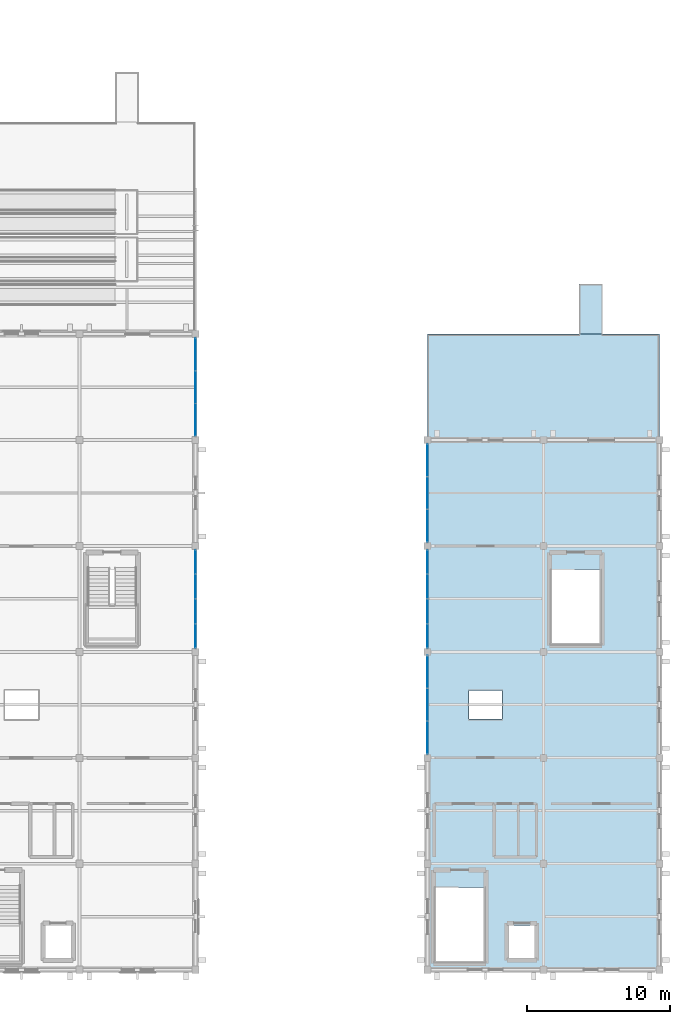
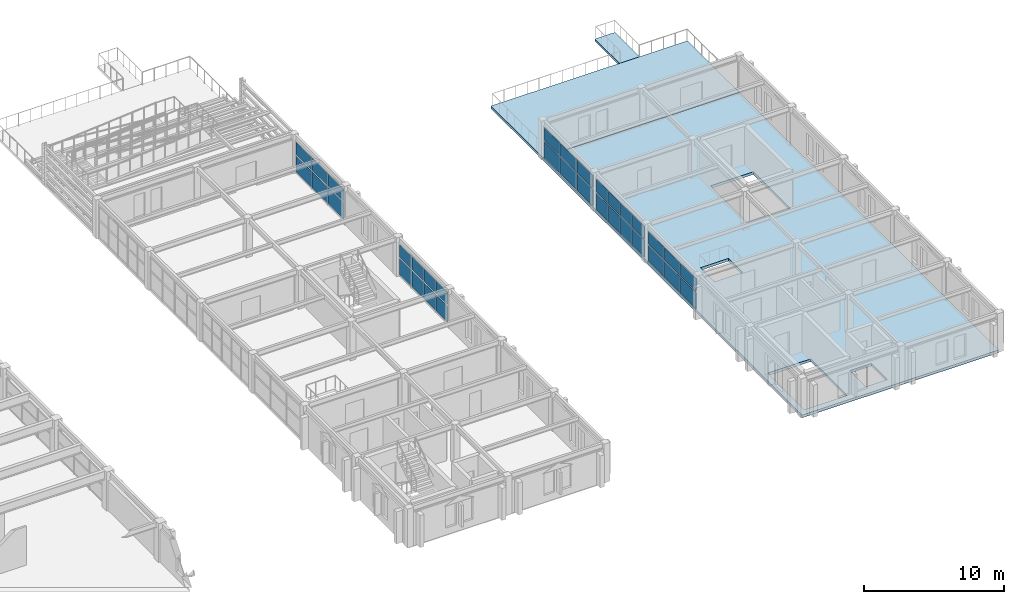
# One storey, part 76 of 93: 34 plates, 3 slabs, 5 elements without a shape of their own.
"""IFC4 building model written with IfcOpenShell, lengths in metres."""

from ifc_helpers import new_model, si_unit, direction, frame, origin, origin_2d, place, context, subcontext, project, spatial, polyline, rectangle, outline, extrude, material, layer, layer_set, type_object, element, aggregate, save


model = new_model("IFC4")

# Units and contexts
model_context = context("Model", 3, precision=1e-05, world=origin(), true_north=direction((0.0, 1.0)))
body_context = subcontext(model_context, "Body", "Model", "MODEL_VIEW")
ifc_project = project(units=[si_unit("LENGTHUNIT", "METRE"), si_unit("AREAUNIT", "SQUARE_METRE"), si_unit("VOLUMEUNIT", "CUBIC_METRE"), si_unit("PLANEANGLEUNIT", "RADIAN"), si_unit("MASSUNIT", "GRAM", prefix="KILO")], contexts=[model_context])

# Site, building, storey
site_placement = place(None, origin())
site = spatial("IfcSite", under=ifc_project, at=site_placement, CompositionType="ELEMENT")
building_placement = place(site_placement, origin())
building = spatial("IfcBuilding", under=site, at=building_placement, Name="Cimatlan Art Gallery", CompositionType="ELEMENT")
storey_placement = place(building_placement, frame((0.0, 0.0, 13.800048828125)))
storey = spatial("IfcBuildingStorey", under=building, at=storey_placement, Name="L03", CompositionType="ELEMENT", Elevation=13.800048828125)

# Curtain wall, plates
ifc_material_1 = material(Name="Anodised bronze unitised curtain wall")
curtain_wall_type_1 = type_object("IfcCurtainWallType", Name="CW-V-06892X02863-B4", PredefinedType="NOTDEFINED", material=ifc_material_1)
curtain_wall_1_placement = place(storey_placement, origin())
curtain_wall_1 = element("IfcCurtainWall", 1, at=curtain_wall_1_placement, inside=storey, type_object=curtain_wall_type_1, Name="CW-L03-15-06-E", PredefinedType="NOTDEFINED")
ifc_material_2 = material(Name="Low-E insulated double glazing", Category="glass")
ifc_layer_1 = layer(ifc_material_2, 0.028076171875)
ifc_layer_set_1 = layer_set([ifc_layer_1], Name="Low-E insulated double glazing")
plate_type_1 = type_object("IfcPlateType", Name="PNL-1665X1076", PredefinedType="CURTAIN_PANEL", material=ifc_layer_set_1)
plate_1_placement = place(storey_placement, frame((131.60009765625, 52.384521484375, 1.6650390625), z_axis=(0.0, 0.0, 1.0), x_axis=(0.0, -1.0, 0.0)))
plate_1 = element("IfcPlate", 2, at=plate_1_placement, type_object=plate_type_1, Name="CW-L03-15-06-E-P12", PredefinedType="CURTAIN_PANEL", context=body_context, shape_type="SweptSolid", body=[
    extrude(rectangle(XDim=1.6650390625, YDim=0.028076171875, at=origin_2d()), origin(), (0.0, 0.0, 1.0), 1.075927734375),
])
plate_2_placement = place(storey_placement, frame((131.60009765625, 50.66162109375, 1.6650390625), z_axis=(0.0, 0.0, 1.0), x_axis=(0.0, -1.0, 0.0)))
plate_2 = element("IfcPlate", 3, at=plate_2_placement, type_object=plate_type_1, Name="CW-L03-15-06-E-P22", PredefinedType="CURTAIN_PANEL", context=body_context, shape_type="SweptSolid", body=[
    extrude(rectangle(XDim=1.6650390625, YDim=0.028076171875, at=origin_2d()), origin(), (0.0, 0.0, 1.0), 1.075927734375),
])
plate_3_placement = place(storey_placement, frame((131.60009765625, 48.9384765625, 1.6650390625), z_axis=(0.0, 0.0, 1.0), x_axis=(0.0, -1.0, 0.0)))
plate_3 = element("IfcPlate", 4, at=plate_3_placement, type_object=plate_type_1, Name="CW-L03-15-06-E-P32", PredefinedType="CURTAIN_PANEL", context=body_context, shape_type="SweptSolid", body=[
    extrude(rectangle(XDim=1.6650390625, YDim=0.028076171875, at=origin_2d()), origin(), (0.0, 0.0, 1.0), 1.075927734375),
])
plate_4_placement = place(storey_placement, frame((131.60009765625, 47.215576171875, 1.6650390625), z_axis=(0.0, 0.0, 1.0), x_axis=(0.0, -1.0, 0.0)))
plate_4 = element("IfcPlate", 5, at=plate_4_placement, type_object=plate_type_1, Name="CW-L03-15-06-E-P42", PredefinedType="CURTAIN_PANEL", context=body_context, shape_type="SweptSolid", body=[
    extrude(rectangle(XDim=1.6650390625, YDim=0.028076171875, at=origin_2d()), origin(), (0.0, 0.0, 1.0), 1.075927734375),
])

curtain_wall_type_2 = type_object("IfcCurtainWallType", Name="CW-V-06892X02908-B4", PredefinedType="NOTDEFINED", material=ifc_material_1)
curtain_wall_2_placement = place(storey_placement, origin())
curtain_wall_2 = element("IfcCurtainWall", 6, at=curtain_wall_2_placement, inside=storey, type_object=curtain_wall_type_2, Name="CW-L03-18-06-W", PredefinedType="NOTDEFINED")
ifc_layer_2 = layer(ifc_material_2, 0.028076171875)
ifc_layer_set_2 = layer_set([ifc_layer_2], Name="Low-E insulated double glazing")
plate_type_2 = type_object("IfcPlateType", Name="PNL-1665X1095", PredefinedType="CURTAIN_PANEL", material=ifc_layer_set_2)
plate_5_placement = place(storey_placement, frame((147.800048828125, 47.215576171875, 1.69091796875), z_axis=(0.0, 0.0, 1.0), x_axis=(0.0, 1.0, 0.0)))
plate_5 = element("IfcPlate", 7, at=plate_5_placement, type_object=plate_type_2, Name="CW-L03-18-06-W-P12", PredefinedType="CURTAIN_PANEL", context=body_context, shape_type="SweptSolid", body=[
    extrude(rectangle(XDim=1.6650390625, YDim=0.028076171875, at=origin_2d()), origin(), (0.0, 0.0, 1.0), 1.094970703125),
])
plate_6_placement = place(storey_placement, frame((147.800048828125, 48.9384765625, 1.69091796875), z_axis=(0.0, 0.0, 1.0), x_axis=(0.0, 1.0, 0.0)))
plate_6 = element("IfcPlate", 8, at=plate_6_placement, type_object=plate_type_2, Name="CW-L03-18-06-W-P22", PredefinedType="CURTAIN_PANEL", context=body_context, shape_type="SweptSolid", body=[
    extrude(rectangle(XDim=1.6650390625, YDim=0.028076171875, at=origin_2d()), origin(), (0.0, 0.0, 1.0), 1.094970703125),
])
plate_7_placement = place(storey_placement, frame((147.800048828125, 50.66162109375, 1.69091796875), z_axis=(0.0, 0.0, 1.0), x_axis=(0.0, 1.0, 0.0)))
plate_7 = element("IfcPlate", 9, at=plate_7_placement, type_object=plate_type_2, Name="CW-L03-18-06-W-P32", PredefinedType="CURTAIN_PANEL", context=body_context, shape_type="SweptSolid", body=[
    extrude(rectangle(XDim=1.6650390625, YDim=0.028076171875, at=origin_2d()), origin(), (0.0, 0.0, 1.0), 1.094970703125),
])
plate_8_placement = place(storey_placement, frame((147.800048828125, 52.384521484375, 1.69091796875), z_axis=(0.0, 0.0, 1.0), x_axis=(0.0, 1.0, 0.0)))
plate_8 = element("IfcPlate", 10, at=plate_8_placement, type_object=plate_type_2, Name="CW-L03-18-06-W-P42", PredefinedType="CURTAIN_PANEL", context=body_context, shape_type="SweptSolid", body=[
    extrude(rectangle(XDim=1.6650390625, YDim=0.028076171875, at=origin_2d()), origin(), (0.0, 0.0, 1.0), 1.094970703125),
])

# Plate
ifc_layer_3 = layer(ifc_material_2, 0.028076171875)
ifc_layer_set_3 = layer_set([ifc_layer_3], Name="Low-E insulated double glazing")
plate_type_3 = type_object("IfcPlateType", Name="PNL-1665X1419", PredefinedType="CURTAIN_PANEL", material=ifc_layer_set_3)
plate_9_placement = place(storey_placement, frame((131.60009765625, 52.384521484375, 0.1220703125), z_axis=(0.0, 0.0, 1.0), x_axis=(0.0, -1.0, 0.0)))
plate_9 = element("IfcPlate", 11, at=plate_9_placement, type_object=plate_type_3, Name="CW-L03-15-06-E-P11", PredefinedType="CURTAIN_PANEL", context=body_context, shape_type="SweptSolid", body=[
    extrude(rectangle(XDim=1.6650390625, YDim=0.028076171875, at=origin_2d()), origin(), (0.0, 0.0, 1.0), 1.4189453125),
])

plate_10_placement = place(storey_placement, frame((131.60009765625, 50.66162109375, 0.1220703125), z_axis=(0.0, 0.0, 1.0), x_axis=(0.0, -1.0, 0.0)))
plate_10 = element("IfcPlate", 12, at=plate_10_placement, type_object=plate_type_3, Name="CW-L03-15-06-E-P21", PredefinedType="CURTAIN_PANEL", context=body_context, shape_type="SweptSolid", body=[
    extrude(rectangle(XDim=1.6650390625, YDim=0.028076171875, at=origin_2d()), origin(), (0.0, 0.0, 1.0), 1.4189453125),
])

plate_11_placement = place(storey_placement, frame((131.60009765625, 48.9384765625, 0.1220703125), z_axis=(0.0, 0.0, 1.0), x_axis=(0.0, -1.0, 0.0)))
plate_11 = element("IfcPlate", 13, at=plate_11_placement, type_object=plate_type_3, Name="CW-L03-15-06-E-P31", PredefinedType="CURTAIN_PANEL", context=body_context, shape_type="SweptSolid", body=[
    extrude(rectangle(XDim=1.6650390625, YDim=0.028076171875, at=origin_2d()), origin(), (0.0, 0.0, 1.0), 1.4189453125),
])

plate_12_placement = place(storey_placement, frame((131.60009765625, 47.215576171875, 0.1220703125), z_axis=(0.0, 0.0, 1.0), x_axis=(0.0, -1.0, 0.0)))
plate_12 = element("IfcPlate", 14, at=plate_12_placement, type_object=plate_type_3, Name="CW-L03-15-06-E-P41", PredefinedType="CURTAIN_PANEL", context=body_context, shape_type="SweptSolid", body=[
    extrude(rectangle(XDim=1.6650390625, YDim=0.028076171875, at=origin_2d()), origin(), (0.0, 0.0, 1.0), 1.4189453125),
])

aggregate(curtain_wall_1, [plate_9, plate_1, plate_10, plate_2, plate_11, plate_3, plate_12, plate_4])

ifc_layer_4 = layer(ifc_material_2, 0.028076171875)
ifc_layer_set_4 = layer_set([ifc_layer_4], Name="Low-E insulated double glazing")
plate_type_4 = type_object("IfcPlateType", Name="PNL-1665X1444", PredefinedType="CURTAIN_PANEL", material=ifc_layer_set_4)
plate_13_placement = place(storey_placement, frame((147.800048828125, 47.215576171875, 0.1220703125), z_axis=(0.0, 0.0, 1.0), x_axis=(0.0, 1.0, 0.0)))
plate_13 = element("IfcPlate", 15, at=plate_13_placement, type_object=plate_type_4, Name="CW-L03-18-06-W-P11", PredefinedType="CURTAIN_PANEL", context=body_context, shape_type="SweptSolid", body=[
    extrude(rectangle(XDim=1.6650390625, YDim=0.028076171875, at=origin_2d()), origin(), (0.0, 0.0, 1.0), 1.444091796875),
])

plate_14_placement = place(storey_placement, frame((147.800048828125, 48.9384765625, 0.1220703125), z_axis=(0.0, 0.0, 1.0), x_axis=(0.0, 1.0, 0.0)))
plate_14 = element("IfcPlate", 16, at=plate_14_placement, type_object=plate_type_4, Name="CW-L03-18-06-W-P21", PredefinedType="CURTAIN_PANEL", context=body_context, shape_type="SweptSolid", body=[
    extrude(rectangle(XDim=1.6650390625, YDim=0.028076171875, at=origin_2d()), origin(), (0.0, 0.0, 1.0), 1.444091796875),
])

plate_15_placement = place(storey_placement, frame((147.800048828125, 50.66162109375, 0.1220703125), z_axis=(0.0, 0.0, 1.0), x_axis=(0.0, 1.0, 0.0)))
plate_15 = element("IfcPlate", 17, at=plate_15_placement, type_object=plate_type_4, Name="CW-L03-18-06-W-P31", PredefinedType="CURTAIN_PANEL", context=body_context, shape_type="SweptSolid", body=[
    extrude(rectangle(XDim=1.6650390625, YDim=0.028076171875, at=origin_2d()), origin(), (0.0, 0.0, 1.0), 1.444091796875),
])

plate_16_placement = place(storey_placement, frame((147.800048828125, 52.384521484375, 0.1220703125), z_axis=(0.0, 0.0, 1.0), x_axis=(0.0, 1.0, 0.0)))
plate_16 = element("IfcPlate", 18, at=plate_16_placement, type_object=plate_type_4, Name="CW-L03-18-06-W-P41", PredefinedType="CURTAIN_PANEL", context=body_context, shape_type="SweptSolid", body=[
    extrude(rectangle(XDim=1.6650390625, YDim=0.028076171875, at=origin_2d()), origin(), (0.0, 0.0, 1.0), 1.444091796875),
])

aggregate(curtain_wall_2, [plate_13, plate_5, plate_14, plate_6, plate_15, plate_7, plate_16, plate_8])

# Curtain wall, plates
curtain_wall_type_3 = type_object("IfcCurtainWallType", Name="CW-V-06892X02833-B3", PredefinedType="NOTDEFINED", material=ifc_material_1)
curtain_wall_3_placement = place(storey_placement, origin())
curtain_wall_3 = element("IfcCurtainWall", 19, at=curtain_wall_3_placement, inside=storey, type_object=curtain_wall_type_3, Name="CW-L03-15-08-E", PredefinedType="NOTDEFINED")
ifc_layer_5 = layer(ifc_material_2, 0.028076171875)
ifc_layer_set_5 = layer_set([ifc_layer_5], Name="Low-E insulated double glazing")
plate_type_5 = type_object("IfcPlateType", Name="PNL-2239X1062", PredefinedType="CURTAIN_PANEL", material=ifc_layer_set_5)
plate_17_placement = place(storey_placement, frame((131.60009765625, 66.897216796875, 1.648681640625), z_axis=(0.0, 0.0, 1.0), x_axis=(0.0, -1.0, 0.0)))
plate_17 = element("IfcPlate", 20, at=plate_17_placement, type_object=plate_type_5, Name="CW-L03-15-08-E-P12", PredefinedType="CURTAIN_PANEL", context=body_context, shape_type="SweptSolid", body=[
    extrude(rectangle(XDim=2.239013671875, YDim=0.028076171875, at=origin_2d()), origin(), (0.0, 0.0, 1.0), 1.06201171875),
])
plate_18_placement = place(storey_placement, frame((131.60009765625, 64.60009765625, 1.648681640625), z_axis=(0.0, 0.0, 1.0), x_axis=(0.0, -1.0, 0.0)))
plate_18 = element("IfcPlate", 21, at=plate_18_placement, type_object=plate_type_5, Name="CW-L03-15-08-E-P22", PredefinedType="CURTAIN_PANEL", context=body_context, shape_type="SweptSolid", body=[
    extrude(rectangle(XDim=2.239013671875, YDim=0.028076171875, at=origin_2d()), origin(), (0.0, 0.0, 1.0), 1.06201171875),
])
plate_19_placement = place(storey_placement, frame((131.60009765625, 62.302734375, 1.648681640625), z_axis=(0.0, 0.0, 1.0), x_axis=(0.0, -1.0, 0.0)))
plate_19 = element("IfcPlate", 22, at=plate_19_placement, type_object=plate_type_5, Name="CW-L03-15-08-E-P32", PredefinedType="CURTAIN_PANEL", context=body_context, shape_type="SweptSolid", body=[
    extrude(rectangle(XDim=2.239013671875, YDim=0.028076171875, at=origin_2d()), origin(), (0.0, 0.0, 1.0), 1.06201171875),
])

curtain_wall_4_placement = place(storey_placement, origin())
curtain_wall_4 = element("IfcCurtainWall", 23, at=curtain_wall_4_placement, inside=storey, type_object=curtain_wall_type_3, Name="CW-L03-18-05-W", PredefinedType="NOTDEFINED")
plate_20_placement = place(storey_placement, frame((147.800048828125, 40.102783203125, 1.648681640625), z_axis=(0.0, 0.0, 1.0), x_axis=(0.0, 1.0, 0.0)))
plate_20 = element("IfcPlate", 24, at=plate_20_placement, type_object=plate_type_5, Name="CW-L03-18-05-W-P12", PredefinedType="CURTAIN_PANEL", context=body_context, shape_type="SweptSolid", body=[
    extrude(rectangle(XDim=2.239013671875, YDim=0.028076171875, at=origin_2d()), origin(), (0.0, 0.0, 1.0), 1.06201171875),
])
plate_21_placement = place(storey_placement, frame((147.800048828125, 42.39990234375, 1.648681640625), z_axis=(0.0, 0.0, 1.0), x_axis=(0.0, 1.0, 0.0)))
plate_21 = element("IfcPlate", 25, at=plate_21_placement, type_object=plate_type_5, Name="CW-L03-18-05-W-P22", PredefinedType="CURTAIN_PANEL", context=body_context, shape_type="SweptSolid", body=[
    extrude(rectangle(XDim=2.239013671875, YDim=0.028076171875, at=origin_2d()), origin(), (0.0, 0.0, 1.0), 1.06201171875),
])
plate_22_placement = place(storey_placement, frame((147.800048828125, 44.697265625, 1.648681640625), z_axis=(0.0, 0.0, 1.0), x_axis=(0.0, 1.0, 0.0)))
plate_22 = element("IfcPlate", 26, at=plate_22_placement, type_object=plate_type_5, Name="CW-L03-18-05-W-P32", PredefinedType="CURTAIN_PANEL", context=body_context, shape_type="SweptSolid", body=[
    extrude(rectangle(XDim=2.239013671875, YDim=0.028076171875, at=origin_2d()), origin(), (0.0, 0.0, 1.0), 1.06201171875),
])

curtain_wall_type_4 = type_object("IfcCurtainWallType", Name="CW-V-06892X02893-B3", PredefinedType="NOTDEFINED", material=ifc_material_1)
curtain_wall_5_placement = place(storey_placement, origin())
curtain_wall_5 = element("IfcCurtainWall", 27, at=curtain_wall_5_placement, inside=storey, type_object=curtain_wall_type_4, Name="CW-L03-18-07-W", PredefinedType="NOTDEFINED")
ifc_layer_6 = layer(ifc_material_2, 0.028076171875)
ifc_layer_set_6 = layer_set([ifc_layer_6], Name="Low-E insulated double glazing")
plate_type_6 = type_object("IfcPlateType", Name="PNL-2239X1089", PredefinedType="CURTAIN_PANEL", material=ifc_layer_set_6)
plate_23_placement = place(storey_placement, frame((147.800048828125, 54.902587890625, 1.68212890625), z_axis=(0.0, 0.0, 1.0), x_axis=(0.0, 1.0, 0.0)))
plate_23 = element("IfcPlate", 28, at=plate_23_placement, type_object=plate_type_6, Name="CW-L03-18-07-W-P12", PredefinedType="CURTAIN_PANEL", context=body_context, shape_type="SweptSolid", body=[
    extrude(rectangle(XDim=2.239013671875, YDim=0.028076171875, at=origin_2d()), origin(), (0.0, 0.0, 1.0), 1.089111328125),
])
plate_24_placement = place(storey_placement, frame((147.800048828125, 57.199951171875, 1.68212890625), z_axis=(0.0, 0.0, 1.0), x_axis=(0.0, 1.0, 0.0)))
plate_24 = element("IfcPlate", 29, at=plate_24_placement, type_object=plate_type_6, Name="CW-L03-18-07-W-P22", PredefinedType="CURTAIN_PANEL", context=body_context, shape_type="SweptSolid", body=[
    extrude(rectangle(XDim=2.239013671875, YDim=0.028076171875, at=origin_2d()), origin(), (0.0, 0.0, 1.0), 1.089111328125),
])
plate_25_placement = place(storey_placement, frame((147.800048828125, 59.497314453125, 1.68212890625), z_axis=(0.0, 0.0, 1.0), x_axis=(0.0, 1.0, 0.0)))
plate_25 = element("IfcPlate", 30, at=plate_25_placement, type_object=plate_type_6, Name="CW-L03-18-07-W-P32", PredefinedType="CURTAIN_PANEL", context=body_context, shape_type="SweptSolid", body=[
    extrude(rectangle(XDim=2.239013671875, YDim=0.028076171875, at=origin_2d()), origin(), (0.0, 0.0, 1.0), 1.089111328125),
])

# Plate
ifc_layer_7 = layer(ifc_material_2, 0.028076171875)
ifc_layer_set_7 = layer_set([ifc_layer_7], Name="Low-E insulated double glazing")
plate_type_7 = type_object("IfcPlateType", Name="PNL-2239X1402", PredefinedType="CURTAIN_PANEL", material=ifc_layer_set_7)
plate_26_placement = place(storey_placement, frame((131.60009765625, 66.897216796875, 0.1220703125), z_axis=(0.0, 0.0, 1.0), x_axis=(0.0, -1.0, 0.0)))
plate_26 = element("IfcPlate", 31, at=plate_26_placement, type_object=plate_type_7, Name="CW-L03-15-08-E-P11", PredefinedType="CURTAIN_PANEL", context=body_context, shape_type="SweptSolid", body=[
    extrude(rectangle(XDim=2.239013671875, YDim=0.028076171875, at=origin_2d()), origin(), (0.0, 0.0, 1.0), 1.402099609375),
])

plate_27_placement = place(storey_placement, frame((131.60009765625, 64.60009765625, 0.1220703125), z_axis=(0.0, 0.0, 1.0), x_axis=(0.0, -1.0, 0.0)))
plate_27 = element("IfcPlate", 32, at=plate_27_placement, type_object=plate_type_7, Name="CW-L03-15-08-E-P21", PredefinedType="CURTAIN_PANEL", context=body_context, shape_type="SweptSolid", body=[
    extrude(rectangle(XDim=2.239013671875, YDim=0.028076171875, at=origin_2d()), origin(), (0.0, 0.0, 1.0), 1.402099609375),
])

plate_28_placement = place(storey_placement, frame((131.60009765625, 62.302734375, 0.1220703125), z_axis=(0.0, 0.0, 1.0), x_axis=(0.0, -1.0, 0.0)))
plate_28 = element("IfcPlate", 33, at=plate_28_placement, type_object=plate_type_7, Name="CW-L03-15-08-E-P31", PredefinedType="CURTAIN_PANEL", context=body_context, shape_type="SweptSolid", body=[
    extrude(rectangle(XDim=2.239013671875, YDim=0.028076171875, at=origin_2d()), origin(), (0.0, 0.0, 1.0), 1.402099609375),
])

aggregate(curtain_wall_3, [plate_26, plate_17, plate_27, plate_18, plate_28, plate_19])

plate_29_placement = place(storey_placement, frame((147.800048828125, 40.102783203125, 0.1220703125), z_axis=(0.0, 0.0, 1.0), x_axis=(0.0, 1.0, 0.0)))
plate_29 = element("IfcPlate", 34, at=plate_29_placement, type_object=plate_type_7, Name="CW-L03-18-05-W-P11", PredefinedType="CURTAIN_PANEL", context=body_context, shape_type="SweptSolid", body=[
    extrude(rectangle(XDim=2.239013671875, YDim=0.028076171875, at=origin_2d()), origin(), (0.0, 0.0, 1.0), 1.402099609375),
])

plate_30_placement = place(storey_placement, frame((147.800048828125, 42.39990234375, 0.1220703125), z_axis=(0.0, 0.0, 1.0), x_axis=(0.0, 1.0, 0.0)))
plate_30 = element("IfcPlate", 35, at=plate_30_placement, type_object=plate_type_7, Name="CW-L03-18-05-W-P21", PredefinedType="CURTAIN_PANEL", context=body_context, shape_type="SweptSolid", body=[
    extrude(rectangle(XDim=2.239013671875, YDim=0.028076171875, at=origin_2d()), origin(), (0.0, 0.0, 1.0), 1.402099609375),
])

plate_31_placement = place(storey_placement, frame((147.800048828125, 44.697265625, 0.1220703125), z_axis=(0.0, 0.0, 1.0), x_axis=(0.0, 1.0, 0.0)))
plate_31 = element("IfcPlate", 36, at=plate_31_placement, type_object=plate_type_7, Name="CW-L03-18-05-W-P31", PredefinedType="CURTAIN_PANEL", context=body_context, shape_type="SweptSolid", body=[
    extrude(rectangle(XDim=2.239013671875, YDim=0.028076171875, at=origin_2d()), origin(), (0.0, 0.0, 1.0), 1.402099609375),
])

aggregate(curtain_wall_4, [plate_29, plate_20, plate_30, plate_21, plate_31, plate_22])

ifc_layer_8 = layer(ifc_material_2, 0.028076171875)
ifc_layer_set_8 = layer_set([ifc_layer_8], Name="Low-E insulated double glazing")
plate_type_8 = type_object("IfcPlateType", Name="PNL-2239X1436", PredefinedType="CURTAIN_PANEL", material=ifc_layer_set_8)
plate_32_placement = place(storey_placement, frame((147.800048828125, 54.902587890625, 0.1220703125), z_axis=(0.0, 0.0, 1.0), x_axis=(0.0, 1.0, 0.0)))
plate_32 = element("IfcPlate", 37, at=plate_32_placement, type_object=plate_type_8, Name="CW-L03-18-07-W-P11", PredefinedType="CURTAIN_PANEL", context=body_context, shape_type="SweptSolid", body=[
    extrude(rectangle(XDim=2.239013671875, YDim=0.028076171875, at=origin_2d()), origin(), (0.0, 0.0, 1.0), 1.43603515625),
])

plate_33_placement = place(storey_placement, frame((147.800048828125, 57.199951171875, 0.1220703125), z_axis=(0.0, 0.0, 1.0), x_axis=(0.0, 1.0, 0.0)))
plate_33 = element("IfcPlate", 38, at=plate_33_placement, type_object=plate_type_8, Name="CW-L03-18-07-W-P21", PredefinedType="CURTAIN_PANEL", context=body_context, shape_type="SweptSolid", body=[
    extrude(rectangle(XDim=2.239013671875, YDim=0.028076171875, at=origin_2d()), origin(), (0.0, 0.0, 1.0), 1.43603515625),
])

plate_34_placement = place(storey_placement, frame((147.800048828125, 59.497314453125, 0.1220703125), z_axis=(0.0, 0.0, 1.0), x_axis=(0.0, 1.0, 0.0)))
plate_34 = element("IfcPlate", 39, at=plate_34_placement, type_object=plate_type_8, Name="CW-L03-18-07-W-P31", PredefinedType="CURTAIN_PANEL", context=body_context, shape_type="SweptSolid", body=[
    extrude(rectangle(XDim=2.239013671875, YDim=0.028076171875, at=origin_2d()), origin(), (0.0, 0.0, 1.0), 1.43603515625),
])

aggregate(curtain_wall_5, [plate_32, plate_23, plate_33, plate_24, plate_34, plate_25])

# Slabs
ifc_material_3 = material(Name="Concrete C35/45", Category="concrete")
ifc_layer_9 = layer(ifc_material_3, 0.22998046875)
ifc_layer_set_9 = layer_set([ifc_layer_9], Name="Concrete C35/45")
slab_type_1 = type_object("IfcSlabType", Name="SLB-FLR-L03", PredefinedType="FLOOR", material=ifc_layer_set_9)
slab_1_placement = place(storey_placement, frame((0.0, 0.0, -0.22998046875)))
element("IfcSlab", 40, at=slab_1_placement, inside=storey, type_object=slab_type_1, Name="SLB-L03-B5S", PredefinedType="FLOOR", context=body_context, shape_type="SweptSolid", body=[
    extrude(outline(polyline([(147.800048828125, 23.89990234375), (164.0, 23.89990234375), (164.0, 60.89990234375), (147.800048828125, 60.89990234375), (147.800048828125, 23.89990234375)]), holes=[polyline([(148.300048828125, 24.419921875), (151.820068359375, 24.419921875), (151.820068359375, 29.64990234375), (148.300048828125, 29.64990234375), (148.300048828125, 24.419921875)]), polyline([(153.510009765625, 24.7099609375), (155.2900390625, 24.7099609375), (155.2900390625, 26.989990234375), (153.510009765625, 26.989990234375), (153.510009765625, 24.7099609375)]), polyline([(156.39990234375, 46.6201171875), (159.919921875, 46.6201171875), (159.919921875, 51.85009765625), (156.39990234375, 51.85009765625), (156.39990234375, 46.6201171875)]), polyline([(150.699951171875, 41.39990234375), (153.0, 41.39990234375), (153.0, 43.39990234375), (150.699951171875, 43.39990234375), (150.699951171875, 41.39990234375)])]), origin(), (0.0, 0.0, 1.0), 0.22998046875),
])
ifc_layer_10 = layer(ifc_material_3, 0.199951171875)
ifc_layer_set_10 = layer_set([ifc_layer_10], Name="Concrete C35/45")
slab_type_2 = type_object("IfcSlabType", Name="SLB-RMP-LAND-200", PredefinedType="LANDING", material=ifc_layer_set_10)
slab_2_placement = place(storey_placement, frame((0.0, 0.0, -0.199951171875)))
element("IfcSlab", 41, at=slab_2_placement, inside=storey, type_object=slab_type_2, Name="RMP-TER-B5-LND5", PredefinedType="LANDING", context=body_context, shape_type="SweptSolid", body=[
    extrude(outline(polyline([(158.389892578125, 68.300048828125), (160.0400390625, 68.300048828125), (160.0400390625, 71.800048828125), (158.389892578125, 71.800048828125), (158.389892578125, 68.300048828125)])), origin(), (0.0, 0.0, 1.0), 0.199951171875),
])
ifc_layer_11 = layer(ifc_material_3, 0.219970703125)
ifc_layer_set_11 = layer_set([ifc_layer_11], Name="Concrete C35/45")
slab_type_3 = type_object("IfcSlabType", Name="SLB-TER-220", PredefinedType="FLOOR", material=ifc_layer_set_11)
slab_3_placement = place(storey_placement, frame((0.0, 0.0, -0.219970703125)))
element("IfcSlab", 42, at=slab_3_placement, inside=storey, type_object=slab_type_3, Name="TER-L03-B5", PredefinedType="FLOOR", context=body_context, shape_type="SweptSolid", body=[
    extrude(outline(polyline([(147.800048828125, 60.89990234375), (164.0, 60.89990234375), (164.0, 68.300048828125), (147.800048828125, 68.300048828125), (147.800048828125, 60.89990234375)])), origin(), (0.0, 0.0, 1.0), 0.219970703125),
])

save(model, "model.ifc")
